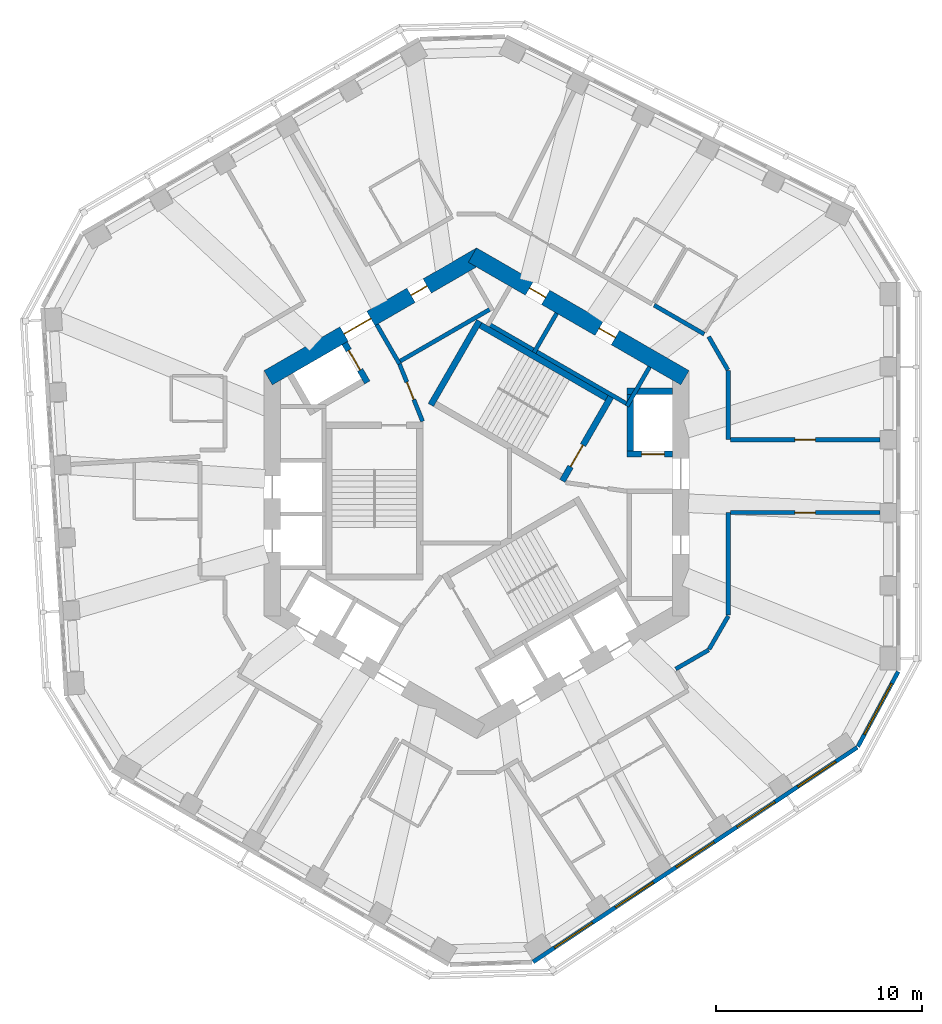
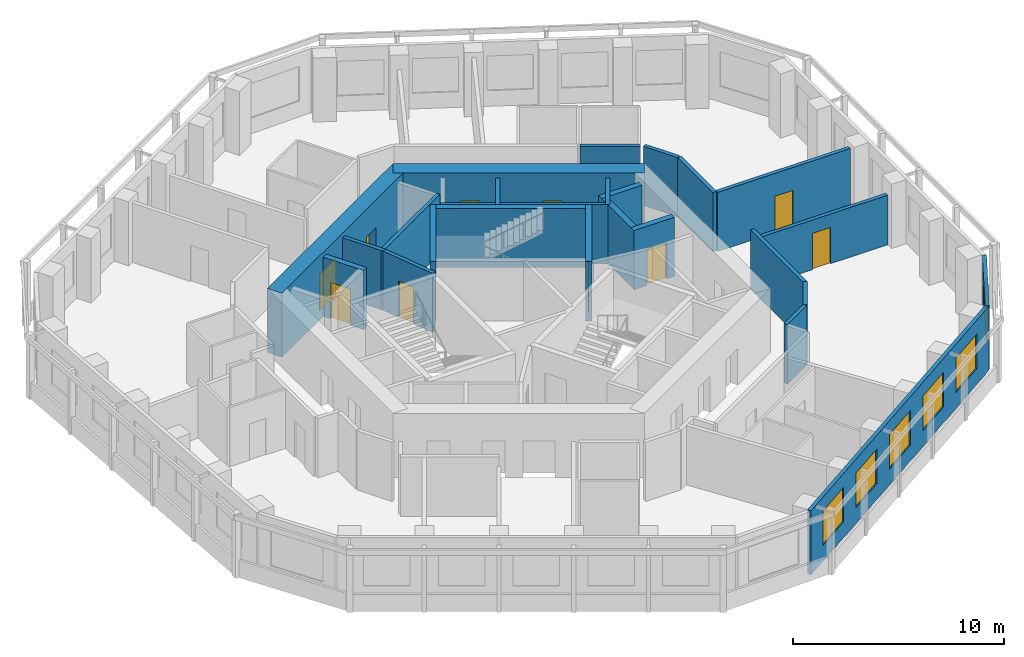
# One storey, part 6 of 11: 25 walls, 10 doors, 6 windows, 16 openings.
"""IFC4 building model written with IfcOpenShell, lengths in metres."""

from ifc_helpers import new_model, si_unit, direction, frame, frame_2d, origin, place, context, subcontext, project, spatial, rectangle, extrude, material, layer, layer_set, type_object, element, fill, save


model = new_model("IFC4")

# Units and contexts
model_context = context("Model", 3, precision=1e-05, world=origin(), true_north=direction((0.0, 1.0)))
body_context = subcontext(model_context, "Body", "Model", "MODEL_VIEW")
ifc_project = project(units=[si_unit("LENGTHUNIT", "METRE"), si_unit("AREAUNIT", "SQUARE_METRE"), si_unit("VOLUMEUNIT", "CUBIC_METRE"), si_unit("PLANEANGLEUNIT", "RADIAN"), si_unit("MASSUNIT", "GRAM", prefix="KILO")], contexts=[model_context])

# Site, building, storey
site_placement = place(None, origin())
site = spatial("IfcSite", under=ifc_project, at=site_placement, CompositionType="ELEMENT")
building_placement = place(site_placement, origin())
building = spatial("IfcBuilding", under=site, at=building_placement, Name="Vanh Sen Convention Tower", CompositionType="ELEMENT")
storey_placement = place(building_placement, frame((0.0, 0.0, 229.10009765625)))
storey = spatial("IfcBuildingStorey", under=building, at=storey_placement, Name="L56", CompositionType="ELEMENT", Elevation=229.10009765625)

# Wall, openings, doors
ifc_material_1 = material(Name="Concrete C60/75", Category="concrete")
ifc_layer_1 = layer(ifc_material_1, 0.800048828125)
ifc_layer_set_1 = layer_set([ifc_layer_1], Name="Concrete C60/75")
wall_type_1 = type_object("IfcWallType", Name="Core outer wall 800 C60/75", PredefinedType="SHEAR", material=ifc_layer_set_1)
wall_1_placement = place(storey_placement, frame((10.10009765625, 5.600341796875, 0.0), z_axis=(0.0, 0.0, 1.0), x_axis=(-0.866023897231, 0.500002609418, 0.0)))
wall_1 = element("IfcWall", 1, at=wall_1_placement, inside=storey, type_object=wall_type_1, Name="Core wall face NE L56", PredefinedType="SHEAR", context=body_context, shape_type="SweptSolid", body=[
    extrude(rectangle(XDim=11.8935546875, YDim=0.800048828125, at=frame_2d((5.94677734375, 0.0))), origin(), (0.0, 0.0, 1.0), 3.699951171875),
])
opening_1_placement = place(wall_1_placement, frame((3.896728515625, 0.0, 0.0)))
opening_1 = element("IfcOpeningElement", 2, at=opening_1_placement, cuts=wall_1, Name="Opening D56011", PredefinedType="OPENING", context=body_context, shape_type="SweptSolid", body=[
    extrude(rectangle(XDim=0.89990234375, YDim=2.10009765625, at=frame_2d((0.449951171875, 1.050048828125))), frame((0.0, 0.409912109375, 0.0), z_axis=(0.0, -1.0, 0.0), x_axis=(1.0, 0.0, 0.0)), (0.0, 0.0, 1.0), 0.820068359375),
])
opening_2_placement = place(wall_1_placement, frame((7.796630859375, 0.0, 0.0)))
opening_2 = element("IfcOpeningElement", 3, at=opening_2_placement, cuts=wall_1, Name="Opening D56012", PredefinedType="OPENING", context=body_context, shape_type="SweptSolid", body=[
    extrude(rectangle(XDim=0.89990234375, YDim=2.10009765625, at=frame_2d((0.449951171875, 1.050048828125))), frame((0.0, 0.409912109375, 0.0), z_axis=(0.0, -1.0, 0.0), x_axis=(1.0, 0.0, 0.0)), (0.0, 0.0, 1.0), 0.820068359375),
])
ifc_material_2 = material(Name="Steel S355", Category="steel")
door_type_1 = type_object("IfcDoorType", Name="Plant door 900", OperationType="SINGLE_SWING_LEFT", PredefinedType="DOOR", material=ifc_material_2)
door_1_placement = place(opening_1_placement, origin())
door_1 = element("IfcDoor", 4, at=door_1_placement, inside=storey, type_object=door_type_1, Name="Plant door D56011", OperationType="SINGLE_SWING_LEFT", OverallHeight=2.10009765625, OverallWidth=0.89990234375, PredefinedType="DOOR", context=body_context, shape_type="SweptSolid", body=[
    extrude(rectangle(XDim=0.89990234375, YDim=2.10009765625, at=frame_2d((0.449951171875, 1.050048828125))), frame((0.0, 0.02490234375, 0.0), z_axis=(0.0, -1.0, 0.0), x_axis=(1.0, 0.0, 0.0)), (0.0, 0.0, 1.0), 0.050048828125),
])
fill(opening_1, door_1)
door_2_placement = place(opening_2_placement, origin())
door_2 = element("IfcDoor", 5, at=door_2_placement, inside=storey, type_object=door_type_1, Name="Plant door D56012", OperationType="SINGLE_SWING_LEFT", OverallHeight=2.10009765625, OverallWidth=0.89990234375, PredefinedType="DOOR", context=body_context, shape_type="SweptSolid", body=[
    extrude(rectangle(XDim=0.89990234375, YDim=2.10009765625, at=frame_2d((0.449951171875, 1.050048828125))), frame((0.0, 0.02490234375, 0.0), z_axis=(0.0, -1.0, 0.0), x_axis=(1.0, 0.0, 0.0)), (0.0, 0.0, 1.0), 0.050048828125),
])
fill(opening_2, door_2)

wall_2_placement = place(storey_placement, frame((0.199951171875, 11.547119140625, 0.0), z_axis=(0.0, 0.0, 1.0), x_axis=(-0.866023897231, -0.500002609418, 0.0)))
wall_2 = element("IfcWall", 6, at=wall_2_placement, inside=storey, type_object=wall_type_1, Name="Core wall face NW L56", PredefinedType="SHEAR", context=body_context, shape_type="SweptSolid", body=[
    extrude(rectangle(XDim=11.8935546875, YDim=0.800048828125, at=frame_2d((5.94677734375, 0.0))), origin(), (0.0, 0.0, 1.0), 3.699951171875),
])
opening_3_placement = place(wall_2_placement, frame((6.146728515625, 0.0, 0.0)))
opening_3 = element("IfcOpeningElement", 7, at=opening_3_placement, cuts=wall_2, Name="Opening D56002", PredefinedType="OPENING", context=body_context, shape_type="SweptSolid", body=[
    extrude(rectangle(XDim=1.5, YDim=2.10009765625, at=frame_2d((0.75, 1.050048828125))), frame((0.0, 0.409912109375, 0.0), z_axis=(0.0, -1.0, 0.0), x_axis=(1.0, 0.0, 0.0)), (0.0, 0.0, 1.0), 0.820068359375),
])
opening_4_placement = place(wall_2_placement, frame((2.99658203125, 0.0, 0.0)))
opening_4 = element("IfcOpeningElement", 8, at=opening_4_placement, cuts=wall_2, Name="Opening D56013", PredefinedType="OPENING", context=body_context, shape_type="SweptSolid", body=[
    extrude(rectangle(XDim=0.89990234375, YDim=2.10009765625, at=frame_2d((0.449951171875, 1.050048828125))), frame((0.0, 0.409912109375, 0.0), z_axis=(0.0, -1.0, 0.0), x_axis=(1.0, 0.0, 0.0)), (0.0, 0.0, 1.0), 0.820068359375),
])
door_3_placement = place(opening_4_placement, origin())
door_3 = element("IfcDoor", 9, at=door_3_placement, inside=storey, type_object=door_type_1, Name="Plant door D56013", OperationType="SINGLE_SWING_LEFT", OverallHeight=2.10009765625, OverallWidth=0.89990234375, PredefinedType="DOOR", context=body_context, shape_type="SweptSolid", body=[
    extrude(rectangle(XDim=0.89990234375, YDim=2.10009765625, at=frame_2d((0.449951171875, 1.050048828125))), frame((0.0, 0.02490234375, 0.0), z_axis=(0.0, -1.0, 0.0), x_axis=(1.0, 0.0, 0.0)), (0.0, 0.0, 1.0), 0.050048828125),
])
fill(opening_4, door_3)
door_type_2 = type_object("IfcDoorType", Name="Stair lobby door 1500", OperationType="DOUBLE_DOOR_SINGLE_SWING", PredefinedType="DOOR", material=ifc_material_2)
door_4_placement = place(opening_3_placement, origin())
door_4 = element("IfcDoor", 10, at=door_4_placement, inside=storey, type_object=door_type_2, Name="Stair lobby door D56002", OperationType="DOUBLE_DOOR_SINGLE_SWING", OverallHeight=2.10009765625, OverallWidth=1.5, PredefinedType="DOOR", context=body_context, shape_type="SweptSolid", body=[
    extrude(rectangle(XDim=1.5, YDim=2.10009765625, at=frame_2d((0.75, 1.050048828125))), frame((0.0, 0.02490234375, 0.0), z_axis=(0.0, -1.0, 0.0), x_axis=(1.0, 0.0, 0.0)), (0.0, 0.0, 1.0), 0.050048828125),
])
fill(opening_3, door_4)

# Walls
ifc_material_3 = material(Name="Gypsum board on steel studs with mineral wool", Category="steel")
ifc_layer_2 = layer(ifc_material_3, 0.199951171875)
ifc_layer_set_2 = layer_set([ifc_layer_2], Name="Gypsum board on steel studs with mineral wool")
wall_type_2 = type_object("IfcWallType", Name="Corridor partition wall 200", PredefinedType="PARTITIONING", material=ifc_layer_set_2)
wall_3_placement = place(storey_placement, frame((9.651611328125, -8.514892578125, 0.0), z_axis=(0.0, 0.0, 1.0), x_axis=(0.866020375458, 0.500008709215, 0.0)))
element("IfcWall", 11, at=wall_3_placement, inside=storey, type_object=wall_type_2, Name="Corridor partition wall 200", PredefinedType="PARTITIONING", context=body_context, shape_type="SweptSolid", body=[
    extrude(rectangle(XDim=1.845703125, YDim=0.199951171875, at=frame_2d((0.9228515625, 0.0))), origin(), (0.0, 0.0, 1.0), 3.419921875),
])
wall_4_placement = place(storey_placement, frame((11.033447265625, 7.717041015625, 0.0), z_axis=(0.0, 0.0, 1.0), x_axis=(-0.865996816683, 0.500049511043, 0.0)))
element("IfcWall", 12, at=wall_4_placement, inside=storey, type_object=wall_type_2, Name="Corridor partition wall 200", PredefinedType="PARTITIONING", context=body_context, shape_type="SweptSolid", body=[
    extrude(rectangle(XDim=2.800048828125, YDim=0.199951171875, at=frame_2d((1.39990234375, 0.0))), origin(), (0.0, 0.0, 1.0), 3.419921875),
])
for number, where, z_axis, x_axis, name in (
    (13, (11.27001953125, -7.5576171875, 0.0), (0.0, 0.0, 1.0), (0.499964847546, 0.866045698112, 0.0), "Corridor partition wall 200"),
    (14, (12.179931640625, 5.981201171875, 0.0), (0.0, 0.0, 1.0), (-0.499964847546, 0.866045698112, 0.0), "Corridor partition wall 200"),
):
    element("IfcWall", number, at=place(storey_placement, frame(where, z_axis=z_axis, x_axis=x_axis)), inside=storey, type_object=wall_type_2, Name=name, PredefinedType="PARTITIONING", context=body_context, shape_type="SweptSolid", body=[
        extrude(rectangle(XDim=1.860107421875, YDim=0.199951171875, at=frame_2d((0.93017578125, 0.0))), origin(), (0.0, 0.0, 1.0), 3.419921875),
    ])
wall_5_placement = place(storey_placement, frame((12.199951171875, -5.90673828125, 0.0), z_axis=(0.0, 0.0, 1.0), x_axis=(0.0, 1.0, 0.0)))
element("IfcWall", 15, at=wall_5_placement, inside=storey, type_object=wall_type_2, Name="Corridor partition wall 200", PredefinedType="PARTITIONING", context=body_context, shape_type="SweptSolid", body=[
    extrude(rectangle(XDim=4.97119140625, YDim=0.199951171875, at=frame_2d((2.485595703125, 0.0))), origin(), (0.0, 0.0, 1.0), 3.419921875),
])
wall_6_placement = place(storey_placement, frame((12.199951171875, 2.59814453125, 0.0), z_axis=(0.0, 0.0, 1.0), x_axis=(0.0, 1.0, 0.0)))
element("IfcWall", 16, at=wall_6_placement, inside=storey, type_object=wall_type_2, Name="Corridor partition wall 200", PredefinedType="PARTITIONING", context=body_context, shape_type="SweptSolid", body=[
    extrude(rectangle(XDim=3.3486328125, YDim=0.199951171875, at=frame_2d((1.67431640625, 0.0))), origin(), (0.0, 0.0, 1.0), 3.419921875),
])

# Wall, opening, door
wall_7_placement = place(storey_placement, frame((12.300048828125, -0.935546875, 0.0), z_axis=(0.0, 0.0, 1.0), x_axis=(1.0, 0.0, 0.0)))
wall_7 = element("IfcWall", 17, at=wall_7_placement, inside=storey, type_object=wall_type_2, Name="Corridor partition wall 200", PredefinedType="PARTITIONING", context=body_context, shape_type="SweptSolid", body=[
    extrude(rectangle(XDim=7.25, YDim=0.199951171875, at=frame_2d((3.625, 0.0))), origin(), (0.0, 0.0, 1.0), 2.869873046875),
])
opening_5_placement = place(wall_7_placement, frame((3.125, 0.0, 0.0)))
opening_5 = element("IfcOpeningElement", 18, at=opening_5_placement, cuts=wall_7, Name="Opening D56118", PredefinedType="OPENING", context=body_context, shape_type="SweptSolid", body=[
    extrude(rectangle(XDim=1.0, YDim=2.10009765625, at=frame_2d((0.5, 1.050048828125))), frame((0.0, 0.10986328125, 0.0), z_axis=(0.0, -1.0, 0.0), x_axis=(1.0, 0.0, 0.0)), (0.0, 0.0, 1.0), 0.219970703125),
])
ifc_material_4 = material(Name="Timber fire door in steel frame", Category="steel")
door_type_3 = type_object("IfcDoorType", Name="Floor room door 1000", OperationType="SINGLE_SWING_LEFT", PredefinedType="DOOR", material=ifc_material_4)
door_5_placement = place(opening_5_placement, origin())
door_5 = element("IfcDoor", 19, at=door_5_placement, inside=storey, type_object=door_type_3, Name="Meeting and amenity room door D56118", OperationType="SINGLE_SWING_LEFT", OverallHeight=2.10009765625, OverallWidth=1.0, PredefinedType="DOOR", context=body_context, shape_type="SweptSolid", body=[
    extrude(rectangle(XDim=1.0, YDim=2.10009765625, at=frame_2d((0.5, 1.050048828125))), frame((0.0, 0.02490234375, 0.0), z_axis=(0.0, -1.0, 0.0), x_axis=(1.0, 0.0, 0.0)), (0.0, 0.0, 1.0), 0.050048828125),
])
fill(opening_5, door_5)

wall_8_placement = place(storey_placement, frame((19.550048828125, 2.59814453125, 0.0), z_axis=(0.0, 0.0, 1.0), x_axis=(-1.0, 0.0, 0.0)))
wall_8 = element("IfcWall", 20, at=wall_8_placement, inside=storey, type_object=wall_type_2, Name="Corridor partition wall 200", PredefinedType="PARTITIONING", context=body_context, shape_type="SweptSolid", body=[
    extrude(rectangle(XDim=7.25, YDim=0.199951171875, at=frame_2d((3.625, 0.0))), origin(), (0.0, 0.0, 1.0), 3.419921875),
])
opening_6_placement = place(wall_8_placement, frame((3.125, 0.0, 0.0)))
opening_6 = element("IfcOpeningElement", 21, at=opening_6_placement, cuts=wall_8, Name="Opening D56101", PredefinedType="OPENING", context=body_context, shape_type="SweptSolid", body=[
    extrude(rectangle(XDim=1.0, YDim=2.10009765625, at=frame_2d((0.5, 1.050048828125))), frame((0.0, 0.10986328125, 0.0), z_axis=(0.0, -1.0, 0.0), x_axis=(1.0, 0.0, 0.0)), (0.0, 0.0, 1.0), 0.219970703125),
])
ifc_material_5 = material(Name="Glazed fire door in steel frame", Category="steel")
door_type_4 = type_object("IfcDoorType", Name="Tenant entrance door 1000", OperationType="SINGLE_SWING_LEFT", PredefinedType="DOOR", material=ifc_material_5)
door_6_placement = place(opening_6_placement, origin())
door_6 = element("IfcDoor", 22, at=door_6_placement, inside=storey, type_object=door_type_4, Name="Tenant suite entrance door D56101", OperationType="SINGLE_SWING_LEFT", OverallHeight=2.10009765625, OverallWidth=1.0, PredefinedType="DOOR", context=body_context, shape_type="SweptSolid", body=[
    extrude(rectangle(XDim=1.0, YDim=2.10009765625, at=frame_2d((0.5, 1.050048828125))), frame((0.0, 0.02490234375, 0.0), z_axis=(0.0, -1.0, 0.0), x_axis=(1.0, 0.0, 0.0)), (0.0, 0.0, 1.0), 0.050048828125),
])
fill(opening_6, door_6)

# Wall, openings, windows
ifc_material_6 = material(Name="Insulated lightweight infill wall")
ifc_layer_3 = layer(ifc_material_6, 0.199951171875)
ifc_layer_set_3 = layer_set([ifc_layer_3], Name="Insulated lightweight infill wall")
wall_type_3 = type_object("IfcWallType", Name="External wall 200", PredefinedType="STANDARD", material=ifc_layer_set_3)
wall_9_placement = place(storey_placement, frame((2.739013671875, -22.7109375, 0.0), z_axis=(0.0, 0.0, 1.0), x_axis=(0.833885723098, 0.551937134838, 0.0)))
wall_9 = element("IfcWall", 23, at=wall_9_placement, inside=storey, type_object=wall_type_3, Name="External wall SE L56", PredefinedType="STANDARD", context=body_context, shape_type="SweptSolid", body=[
    extrude(rectangle(XDim=18.84130859375, YDim=0.199951171875, at=frame_2d((9.420654296875, 0.0))), origin(), (0.0, 0.0, 1.0), 3.699951171875),
])
opening_7_placement = place(wall_9_placement, frame((1.25244140625, 0.0, 0.89990234375)))
opening_7 = element("IfcOpeningElement", 24, at=opening_7_placement, cuts=wall_9, Name="Opening WO3-SE1", PredefinedType="OPENING", context=body_context, shape_type="SweptSolid", body=[
    extrude(rectangle(XDim=2.199951171875, YDim=2.0, at=frame_2d((1.10009765625, 1.0))), frame((0.0, 0.10986328125, 0.0), z_axis=(0.0, -1.0, 0.0), x_axis=(1.0, 0.0, 0.0)), (0.0, 0.0, 1.0), 0.219970703125),
])
opening_8_placement = place(wall_9_placement, frame((4.7861328125, 0.0, 0.89990234375)))
opening_8 = element("IfcOpeningElement", 25, at=opening_8_placement, cuts=wall_9, Name="Opening WO3-SE2", PredefinedType="OPENING", context=body_context, shape_type="SweptSolid", body=[
    extrude(rectangle(XDim=2.199951171875, YDim=2.0, at=frame_2d((1.10009765625, 1.0))), frame((0.0, 0.10986328125, 0.0), z_axis=(0.0, -1.0, 0.0), x_axis=(1.0, 0.0, 0.0)), (0.0, 0.0, 1.0), 0.219970703125),
])
opening_9_placement = place(wall_9_placement, frame((8.31982421875, 0.0, 0.89990234375)))
opening_9 = element("IfcOpeningElement", 26, at=opening_9_placement, cuts=wall_9, Name="Opening WO3-SE3", PredefinedType="OPENING", context=body_context, shape_type="SweptSolid", body=[
    extrude(rectangle(XDim=2.199951171875, YDim=2.0, at=frame_2d((1.10009765625, 1.0))), frame((0.0, 0.10986328125, 0.0), z_axis=(0.0, -1.0, 0.0), x_axis=(1.0, 0.0, 0.0)), (0.0, 0.0, 1.0), 0.219970703125),
])
opening_10_placement = place(wall_9_placement, frame((11.853515625, 0.0, 0.89990234375)))
opening_10 = element("IfcOpeningElement", 27, at=opening_10_placement, cuts=wall_9, Name="Opening WO3-SE4", PredefinedType="OPENING", context=body_context, shape_type="SweptSolid", body=[
    extrude(rectangle(XDim=2.199951171875, YDim=2.0, at=frame_2d((1.10009765625, 1.0))), frame((0.0, 0.10986328125, 0.0), z_axis=(0.0, -1.0, 0.0), x_axis=(1.0, 0.0, 0.0)), (0.0, 0.0, 1.0), 0.219970703125),
])
opening_11_placement = place(wall_9_placement, frame((15.386962890625, 0.0, 0.89990234375)))
opening_11 = element("IfcOpeningElement", 28, at=opening_11_placement, cuts=wall_9, Name="Opening WO3-SE5", PredefinedType="OPENING", context=body_context, shape_type="SweptSolid", body=[
    extrude(rectangle(XDim=2.199951171875, YDim=2.0, at=frame_2d((1.10009765625, 1.0))), frame((0.0, 0.10986328125, 0.0), z_axis=(0.0, -1.0, 0.0), x_axis=(1.0, 0.0, 0.0)), (0.0, 0.0, 1.0), 0.219970703125),
])
ifc_material_7 = material(Name="Aluminium frame with clear low-emissivity glass", Category="aluminium")
window_type_1 = type_object("IfcWindowType", Name="Office window 2200 x 2000", PartitioningType="SINGLE_PANEL", PredefinedType="WINDOW", material=ifc_material_7)
window_1_placement = place(opening_7_placement, origin())
window_1 = element("IfcWindow", 29, at=window_1_placement, inside=storey, type_object=window_type_1, Name="Window WO3-SE1", OverallHeight=2.0, OverallWidth=2.199951171875, PartitioningType="SINGLE_PANEL", PredefinedType="WINDOW", context=body_context, shape_type="SweptSolid", body=[
    extrude(rectangle(XDim=2.199951171875, YDim=2.0, at=frame_2d((1.10009765625, 1.0))), frame((0.0, 0.030029296875, 0.0), z_axis=(0.0, -1.0, 0.0), x_axis=(1.0, 0.0, 0.0)), (0.0, 0.0, 1.0), 0.06005859375),
])
fill(opening_7, window_1)
window_2_placement = place(opening_8_placement, origin())
window_2 = element("IfcWindow", 30, at=window_2_placement, inside=storey, type_object=window_type_1, Name="Window WO3-SE2", OverallHeight=2.0, OverallWidth=2.199951171875, PartitioningType="SINGLE_PANEL", PredefinedType="WINDOW", context=body_context, shape_type="SweptSolid", body=[
    extrude(rectangle(XDim=2.199951171875, YDim=2.0, at=frame_2d((1.10009765625, 1.0))), frame((0.0, 0.030029296875, 0.0), z_axis=(0.0, -1.0, 0.0), x_axis=(1.0, 0.0, 0.0)), (0.0, 0.0, 1.0), 0.06005859375),
])
fill(opening_8, window_2)
window_3_placement = place(opening_9_placement, origin())
window_3 = element("IfcWindow", 31, at=window_3_placement, inside=storey, type_object=window_type_1, Name="Window WO3-SE3", OverallHeight=2.0, OverallWidth=2.199951171875, PartitioningType="SINGLE_PANEL", PredefinedType="WINDOW", context=body_context, shape_type="SweptSolid", body=[
    extrude(rectangle(XDim=2.199951171875, YDim=2.0, at=frame_2d((1.10009765625, 1.0))), frame((0.0, 0.030029296875, 0.0), z_axis=(0.0, -1.0, 0.0), x_axis=(1.0, 0.0, 0.0)), (0.0, 0.0, 1.0), 0.06005859375),
])
fill(opening_9, window_3)
window_4_placement = place(opening_10_placement, origin())
window_4 = element("IfcWindow", 32, at=window_4_placement, inside=storey, type_object=window_type_1, Name="Window WO3-SE4", OverallHeight=2.0, OverallWidth=2.199951171875, PartitioningType="SINGLE_PANEL", PredefinedType="WINDOW", context=body_context, shape_type="SweptSolid", body=[
    extrude(rectangle(XDim=2.199951171875, YDim=2.0, at=frame_2d((1.10009765625, 1.0))), frame((0.0, 0.030029296875, 0.0), z_axis=(0.0, -1.0, 0.0), x_axis=(1.0, 0.0, 0.0)), (0.0, 0.0, 1.0), 0.06005859375),
])
fill(opening_10, window_4)
window_5_placement = place(opening_11_placement, origin())
window_5 = element("IfcWindow", 33, at=window_5_placement, inside=storey, type_object=window_type_1, Name="Window WO3-SE5", OverallHeight=2.0, OverallWidth=2.199951171875, PartitioningType="SINGLE_PANEL", PredefinedType="WINDOW", context=body_context, shape_type="SweptSolid", body=[
    extrude(rectangle(XDim=2.199951171875, YDim=2.0, at=frame_2d((1.10009765625, 1.0))), frame((0.0, 0.030029296875, 0.0), z_axis=(0.0, -1.0, 0.0), x_axis=(1.0, 0.0, 0.0)), (0.0, 0.0, 1.0), 0.06005859375),
])
fill(opening_11, window_5)

# Wall, opening, window
wall_10_placement = place(storey_placement, frame((18.4833984375, -12.275634765625, 0.0), z_axis=(0.0, 0.0, 1.0), x_axis=(0.473267675015, 0.880918672629, 0.0)))
wall_10 = element("IfcWall", 34, at=wall_10_placement, inside=storey, type_object=wall_type_3, Name="External wall CH6 L56", PredefinedType="STANDARD", context=body_context, shape_type="SweptSolid", body=[
    extrude(rectangle(XDim=4.1298828125, YDim=0.199951171875, at=frame_2d((2.06494140625, 0.0))), origin(), (0.0, 0.0, 1.0), 3.699951171875),
])
opening_12_placement = place(wall_10_placement, frame((0.6650390625, 0.0, 0.89990234375)))
opening_12 = element("IfcOpeningElement", 35, at=opening_12_placement, cuts=wall_10, Name="Opening WO4-CH61", PredefinedType="OPENING", context=body_context, shape_type="SweptSolid", body=[
    extrude(rectangle(XDim=2.800048828125, YDim=2.0, at=frame_2d((1.39990234375, 1.0))), frame((0.0, 0.10986328125, 0.0), z_axis=(0.0, -1.0, 0.0), x_axis=(1.0, 0.0, 0.0)), (0.0, 0.0, 1.0), 0.219970703125),
])
window_type_2 = type_object("IfcWindowType", Name="Office window 2800 x 2000", PartitioningType="SINGLE_PANEL", PredefinedType="WINDOW", material=ifc_material_7)
window_6_placement = place(opening_12_placement, origin())
window_6 = element("IfcWindow", 36, at=window_6_placement, inside=storey, type_object=window_type_2, Name="Window WO4-CH61", OverallHeight=2.0, OverallWidth=2.800048828125, PartitioningType="SINGLE_PANEL", PredefinedType="WINDOW", context=body_context, shape_type="SweptSolid", body=[
    extrude(rectangle(XDim=2.800048828125, YDim=2.0, at=frame_2d((1.39990234375, 1.0))), frame((0.0, 0.030029296875, 0.0), z_axis=(0.0, -1.0, 0.0), x_axis=(1.0, 0.0, 0.0)), (0.0, 0.0, 1.0), 0.06005859375),
])
fill(opening_12, window_6)

# Wall, opening, door
ifc_layer_4 = layer(ifc_material_1, 0.300048828125)
ifc_layer_set_4 = layer_set([ifc_layer_4], Name="Concrete C60/75")
wall_type_4 = type_object("IfcWallType", Name="Fire-fighting lift shaft wall 300", PredefinedType="SHEAR", material=ifc_layer_set_4)
wall_11_placement = place(storey_placement, frame((7.300048828125, 1.89990234375, 0.0), z_axis=(0.0, 0.0, 1.0), x_axis=(1.0, 0.0, 0.0)))
wall_11 = element("IfcWall", 37, at=wall_11_placement, inside=storey, type_object=wall_type_4, Name="Fire-fighting lift shaft wall L56", PredefinedType="SHEAR", context=body_context, shape_type="SweptSolid", body=[
    extrude(rectangle(XDim=2.199951171875, YDim=0.300048828125, at=frame_2d((1.10009765625, 0.0))), origin(), (0.0, 0.0, 1.0), 3.419921875),
])
opening_13_placement = place(wall_11_placement, frame((0.699951171875, 0.0, 0.0)))
opening_13 = element("IfcOpeningElement", 38, at=opening_13_placement, cuts=wall_11, Name="Opening LD-FF1", PredefinedType="OPENING", context=body_context, shape_type="SweptSolid", body=[
    extrude(rectangle(XDim=1.10009765625, YDim=2.10009765625, at=frame_2d((0.550048828125, 1.050048828125))), frame((0.0, 0.159912109375, 0.0), z_axis=(0.0, -1.0, 0.0), x_axis=(1.0, 0.0, 0.0)), (0.0, 0.0, 1.0), 0.320068359375),
])
ifc_material_8 = material(Name="Stainless steel", Category="steel")
door_type_5 = type_object("IfcDoorType", Name="Fire-fighting lift landing door 1100", OperationType="DOUBLE_DOOR_SLIDING", PredefinedType="DOOR", material=ifc_material_8)
door_7_placement = place(opening_13_placement, origin())
door_7 = element("IfcDoor", 39, at=door_7_placement, inside=storey, type_object=door_type_5, Name="Lift FF1 landing door LD-FF1", OperationType="DOUBLE_DOOR_SLIDING", OverallHeight=2.10009765625, OverallWidth=1.10009765625, PredefinedType="DOOR", context=body_context, shape_type="SweptSolid", body=[
    extrude(rectangle(XDim=1.10009765625, YDim=2.10009765625, at=frame_2d((0.550048828125, 1.050048828125))), frame((0.0, 0.02490234375, 0.0), z_axis=(0.0, -1.0, 0.0), x_axis=(1.0, 0.0, 0.0)), (0.0, 0.0, 1.0), 0.050048828125),
])
fill(opening_13, door_7)

# Walls
wall_12_placement = place(storey_placement, frame((7.449951171875, 1.75, 0.0), z_axis=(0.0, 0.0, 1.0), x_axis=(0.0, 1.0, 0.0)))
element("IfcWall", 40, at=wall_12_placement, inside=storey, type_object=wall_type_4, Name="Fire-fighting lift shaft wall L56", PredefinedType="SHEAR", context=body_context, shape_type="SweptSolid", body=[
    extrude(rectangle(XDim=3.35009765625, YDim=0.300048828125, at=frame_2d((1.675048828125, 0.0))), origin(), (0.0, 0.0, 1.0), 3.419921875),
])
wall_13_placement = place(storey_placement, frame((7.300048828125, 4.949951171875, 0.0), z_axis=(0.0, 0.0, 1.0), x_axis=(1.0, 0.0, 0.0)))
element("IfcWall", 41, at=wall_13_placement, inside=storey, type_object=wall_type_4, Name="Fire-fighting lift shaft wall L56", PredefinedType="SHEAR", context=body_context, shape_type="SweptSolid", body=[
    extrude(rectangle(XDim=2.199951171875, YDim=0.300048828125, at=frame_2d((1.10009765625, 0.0))), origin(), (0.0, 0.0, 1.0), 3.419921875),
])

# Wall, opening, door
wall_14_placement = place(storey_placement, frame((-5.29541015625, 5.3720703125, 0.0), z_axis=(0.0, 0.0, 1.0), x_axis=(-0.500077893725, 0.86598042715, 0.0)))
wall_14 = element("IfcWall", 42, at=wall_14_placement, inside=storey, type_object=wall_type_4, Name="Fire-fighting lift shaft wall L56", PredefinedType="SHEAR", context=body_context, shape_type="SweptSolid", body=[
    extrude(rectangle(XDim=2.199951171875, YDim=0.300048828125, at=frame_2d((1.10009765625, 0.0))), origin(), (0.0, 0.0, 1.0), 3.419921875),
])
opening_14_placement = place(wall_14_placement, frame((0.699951171875, 0.0, 0.0)))
opening_14 = element("IfcOpeningElement", 43, at=opening_14_placement, cuts=wall_14, Name="Opening LD-FF2", PredefinedType="OPENING", context=body_context, shape_type="SweptSolid", body=[
    extrude(rectangle(XDim=1.10009765625, YDim=2.10009765625, at=frame_2d((0.550048828125, 1.050048828125))), frame((0.0, 0.159912109375, 0.0), z_axis=(0.0, -1.0, 0.0), x_axis=(1.0, 0.0, 0.0)), (0.0, 0.0, 1.0), 0.320068359375),
])
door_8_placement = place(opening_14_placement, origin())
door_8 = element("IfcDoor", 44, at=door_8_placement, inside=storey, type_object=door_type_5, Name="Lift FF2 landing door LD-FF2", OperationType="DOUBLE_DOOR_SLIDING", OverallHeight=2.10009765625, OverallWidth=1.10009765625, PredefinedType="DOOR", context=body_context, shape_type="SweptSolid", body=[
    extrude(rectangle(XDim=1.10009765625, YDim=2.10009765625, at=frame_2d((0.550048828125, 1.050048828125))), frame((0.0, 0.02490234375, 0.0), z_axis=(0.0, -1.0, 0.0), x_axis=(1.0, 0.0, 0.0)), (0.0, 0.0, 1.0), 0.050048828125),
])
fill(opening_14, door_8)

# Walls
ifc_material_9 = material(Name="Concrete C40/50", Category="concrete")
ifc_layer_5 = layer(ifc_material_9, 0.199951171875)
ifc_layer_set_5 = layer_set([ifc_layer_5], Name="Concrete C40/50")
wall_type_5 = type_object("IfcWallType", Name="Lift shaft wall 200", PredefinedType="PARTITIONING", material=ifc_layer_set_5)
wall_15_placement = place(storey_placement, frame((7.423828125, 4.258544921875, 0.0), z_axis=(0.0, 0.0, 1.0), x_axis=(-0.866026010844, 0.49999894854, 0.0)))
element("IfcWall", 45, at=wall_15_placement, inside=storey, type_object=wall_type_5, Name="Lift shaft wall L56", PredefinedType="PARTITIONING", context=body_context, shape_type="SweptSolid", body=[
    extrude(rectangle(XDim=8.0, YDim=0.199951171875, at=frame_2d((4.0, 0.0))), origin(), (0.0, 0.0, 1.0), 3.419921875),
])
for number, where, z_axis, x_axis, name in (
    (46, (7.287353515625, 4.221923828125, 0.0), (0.0, 0.0, 1.0), (0.499946605688, 0.86605622881, 0.0), "Lift shaft wall L56"),
    (47, (2.783935546875, 6.822021484375, 0.0), (0.0, 0.0, 1.0), (0.50002983664, 0.866008176907, 0.0), "Lift shaft wall L56"),
):
    element("IfcWall", number, at=place(storey_placement, frame(where, z_axis=z_axis, x_axis=x_axis)), inside=storey, type_object=wall_type_5, Name=name, PredefinedType="PARTITIONING", context=body_context, shape_type="SweptSolid", body=[
        extrude(rectangle(XDim=2.199951171875, YDim=0.199951171875, at=frame_2d((1.10009765625, 0.0))), origin(), (0.0, 0.0, 1.0), 3.419921875),
    ])
wall_16_placement = place(storey_placement, frame((0.80322265625, 9.008544921875, 0.0), z_axis=(0.0, 0.0, 1.0), x_axis=(-0.866028230842, -0.499995103361, 0.0)))
element("IfcWall", 48, at=wall_16_placement, inside=storey, type_object=wall_type_5, Name="Lift shaft wall L56", PredefinedType="PARTITIONING", context=body_context, shape_type="SweptSolid", body=[
    extrude(rectangle(XDim=5.39990234375, YDim=0.199951171875, at=frame_2d((2.699951171875, 0.0))), origin(), (0.0, 0.0, 1.0), 3.419921875),
])
wall_17_placement = place(storey_placement, frame((-3.736572265625, 6.27197265625, 0.0), z_axis=(0.0, 0.0, 1.0), x_axis=(-0.50002983664, 0.866008176907, 0.0)))
element("IfcWall", 49, at=wall_17_placement, inside=storey, type_object=wall_type_5, Name="Lift shaft wall L56", PredefinedType="PARTITIONING", context=body_context, shape_type="SweptSolid", body=[
    extrude(rectangle(XDim=2.199951171875, YDim=0.199951171875, at=frame_2d((1.10009765625, 0.0))), origin(), (0.0, 0.0, 1.0), 3.419921875),
])

# Wall, opening, door
ifc_layer_6 = layer(ifc_material_9, 0.199951171875)
ifc_layer_set_6 = layer_set([ifc_layer_6], Name="Concrete C40/50")
wall_type_6 = type_object("IfcWallType", Name="Stair lobby wall 200", PredefinedType="PARTITIONING", material=ifc_layer_set_6)
wall_18_placement = place(storey_placement, frame((-2.614990234375, 3.487060546875, 0.0), z_axis=(0.0, 0.0, 1.0), x_axis=(-0.373576831041, 0.92759924068, 0.0)))
wall_18 = element("IfcWall", 50, at=wall_18_placement, inside=storey, type_object=wall_type_6, Name="Stair lobby wall L56", PredefinedType="PARTITIONING", context=body_context, shape_type="SweptSolid", body=[
    extrude(rectangle(XDim=3.002197265625, YDim=0.199951171875, at=frame_2d((1.5009765625, 0.0))), origin(), (0.0, 0.0, 1.0), 3.419921875),
])
opening_15_placement = place(wall_18_placement, frame((1.14990234375, 0.0, 0.0)))
opening_15 = element("IfcOpeningElement", 51, at=opening_15_placement, cuts=wall_18, Name="Opening D56008", PredefinedType="OPENING", context=body_context, shape_type="SweptSolid", body=[
    extrude(rectangle(XDim=0.89990234375, YDim=2.10009765625, at=frame_2d((0.449951171875, 1.050048828125))), frame((0.0, 0.10986328125, 0.0), z_axis=(0.0, -1.0, 0.0), x_axis=(1.0, 0.0, 0.0)), (0.0, 0.0, 1.0), 0.219970703125),
])
door_9_placement = place(opening_15_placement, origin())
door_9 = element("IfcDoor", 52, at=door_9_placement, inside=storey, type_object=door_type_1, Name="Plant door D56008", OperationType="SINGLE_SWING_LEFT", OverallHeight=2.10009765625, OverallWidth=0.89990234375, PredefinedType="DOOR", context=body_context, shape_type="SweptSolid", body=[
    extrude(rectangle(XDim=0.89990234375, YDim=2.10009765625, at=frame_2d((0.449951171875, 1.050048828125))), frame((0.0, 0.02490234375, 0.0), z_axis=(0.0, -1.0, 0.0), x_axis=(1.0, 0.0, 0.0)), (0.0, 0.0, 1.0), 0.050048828125),
])
fill(opening_15, door_9)

ifc_layer_7 = layer(ifc_material_1, 0.300048828125)
ifc_layer_set_7 = layer_set([ifc_layer_7], Name="Concrete C60/75")
wall_type_7 = type_object("IfcWallType", Name="Stair wall 300", PredefinedType="SHEAR", material=ifc_layer_set_7)
wall_19_placement = place(storey_placement, frame((4.157958984375, 0.601806640625, 0.0), z_axis=(0.0, 0.0, 1.0), x_axis=(0.499977259774, 0.866038532462, 0.0)))
wall_19 = element("IfcWall", 53, at=wall_19_placement, inside=storey, type_object=wall_type_7, Name="Stair wall L56", PredefinedType="SHEAR", context=body_context, shape_type="SweptSolid", body=[
    extrude(rectangle(XDim=4.699951171875, YDim=0.300048828125, at=frame_2d((2.35009765625, 0.0))), origin(), (0.0, 0.0, 1.0), 3.419921875),
])
opening_16_placement = place(wall_19_placement, frame((0.800048828125, 0.0, 0.0)))
opening_16 = element("IfcOpeningElement", 54, at=opening_16_placement, cuts=wall_19, Name="Opening D56004", PredefinedType="OPENING", context=body_context, shape_type="SweptSolid", body=[
    extrude(rectangle(XDim=1.199951171875, YDim=2.10009765625, at=frame_2d((0.60009765625, 1.050048828125))), frame((0.0, 0.159912109375, 0.0), z_axis=(0.0, -1.0, 0.0), x_axis=(1.0, 0.0, 0.0)), (0.0, 0.0, 1.0), 0.320068359375),
])
door_type_6 = type_object("IfcDoorType", Name="Stair door 1200", OperationType="SINGLE_SWING_RIGHT", PredefinedType="DOOR", material=ifc_material_2)
door_10_placement = place(opening_16_placement, origin())
door_10 = element("IfcDoor", 55, at=door_10_placement, inside=storey, type_object=door_type_6, Name="Stair ST1 door D56004", OperationType="SINGLE_SWING_RIGHT", OverallHeight=2.10009765625, OverallWidth=1.199951171875, PredefinedType="DOOR", context=body_context, shape_type="SweptSolid", body=[
    extrude(rectangle(XDim=1.199951171875, YDim=2.10009765625, at=frame_2d((0.60009765625, 1.050048828125))), frame((0.0, 0.02490234375, 0.0), z_axis=(0.0, -1.0, 0.0), x_axis=(1.0, 0.0, 0.0)), (0.0, 0.0, 1.0), 0.050048828125),
])
fill(opening_16, door_10)

# Walls
wall_20_placement = place(storey_placement, frame((-2.216064453125, 4.28173828125, 0.0), z_axis=(0.0, 0.0, 1.0), x_axis=(0.499977259774, 0.866038532462, 0.0)))
element("IfcWall", 56, at=wall_20_placement, inside=storey, type_object=wall_type_7, Name="Stair wall L56", PredefinedType="SHEAR", context=body_context, shape_type="SweptSolid", body=[
    extrude(rectangle(XDim=4.699951171875, YDim=0.300048828125, at=frame_2d((2.35009765625, 0.0))), origin(), (0.0, 0.0, 1.0), 3.419921875),
])
wall_21_placement = place(storey_placement, frame((6.302978515625, 4.6171875, 0.0), z_axis=(0.0, 0.0, 1.0), x_axis=(-0.866027801685, 0.499995846692, 0.0)))
element("IfcWall", 57, at=wall_21_placement, inside=storey, type_object=wall_type_7, Name="Stair wall L56", PredefinedType="SHEAR", context=body_context, shape_type="SweptSolid", body=[
    extrude(rectangle(XDim=7.06005859375, YDim=0.300048828125, at=frame_2d((3.530029296875, 0.0))), origin(), (0.0, 0.0, 1.0), 3.419921875),
])

save(model, "model.ifc")
